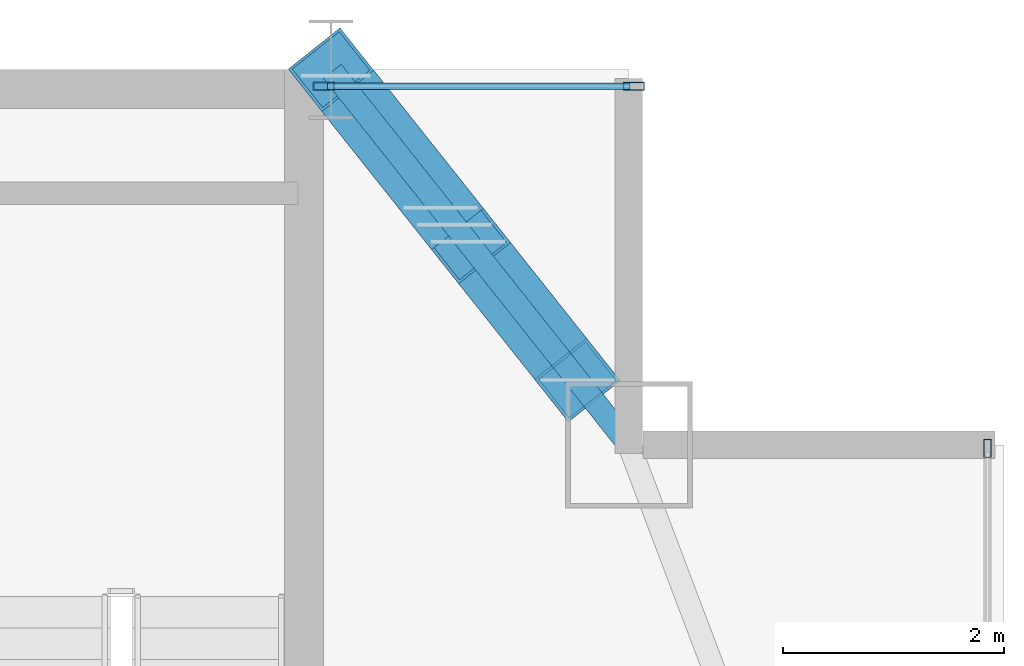
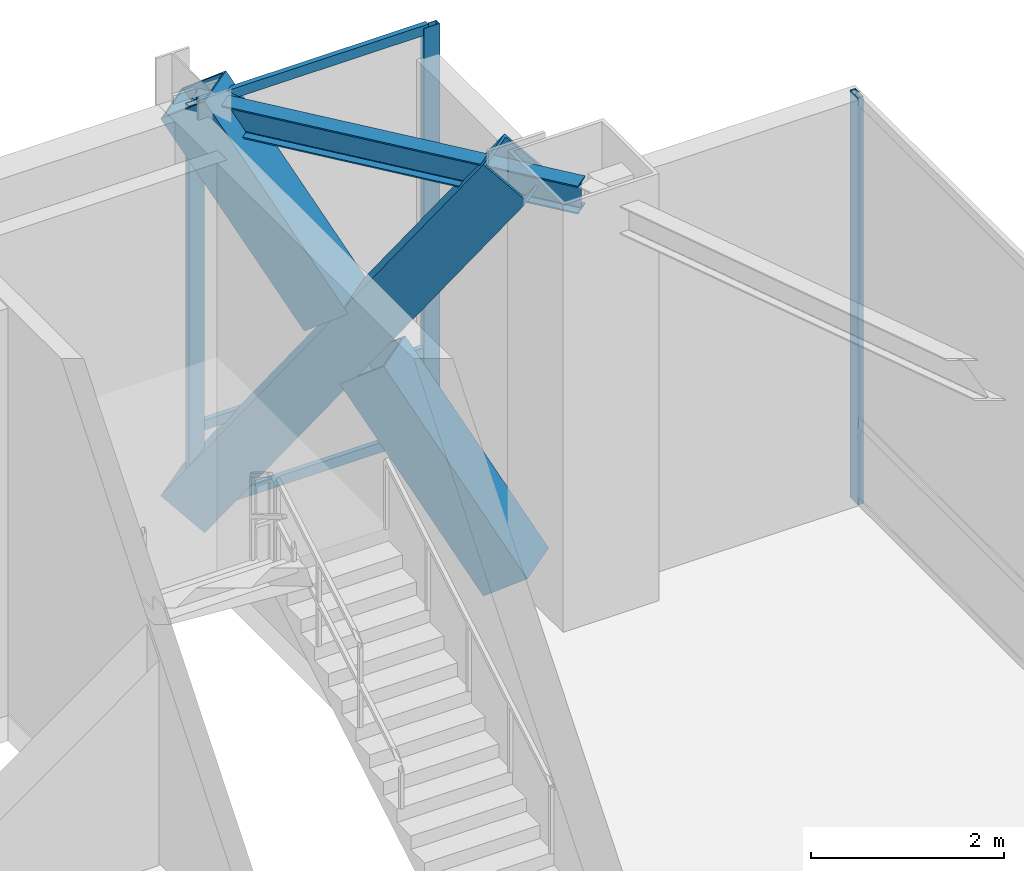
# One storey, part 14 of 21: 9 members, 1 beam, 2 elements without a shape of their own.
"""IFC4 building model written with IfcOpenShell, lengths in metres."""

from ifc_helpers import new_model, si_unit, direction, frame, origin, origin_2d, place, context, subcontext, project, spatial, hollow_rectangle, i_section, extrude, source, transform, mapped, material, layer, layer_set, material_profile, profile_set, type_object, type_shapes, element, aggregate, save


model = new_model("IFC4")

# Units and contexts
model_context = context("Model", 3, precision=1e-05, world=origin(), true_north=direction((0.0, 1.0)))
body_context = subcontext(model_context, "Body", "Model", "MODEL_VIEW")
ifc_project = project(units=[si_unit("LENGTHUNIT", "METRE"), si_unit("AREAUNIT", "SQUARE_METRE"), si_unit("VOLUMEUNIT", "CUBIC_METRE"), si_unit("PLANEANGLEUNIT", "RADIAN"), si_unit("MASSUNIT", "GRAM", prefix="KILO")], contexts=[model_context])

# Site, building, storey
site_placement = place(None, origin())
site = spatial("IfcSite", under=ifc_project, at=site_placement, CompositionType="ELEMENT")
building_placement = place(site_placement, origin())
building = spatial("IfcBuilding", under=site, at=building_placement, Name="Varnel Quay Broadcast Tower", CompositionType="ELEMENT")
storey_placement = place(building_placement, frame((0.0, 0.0, 234.0)))
storey = spatial("IfcBuildingStorey", under=building, at=storey_placement, Name="L58", CompositionType="ELEMENT", Elevation=234.0)

# Beam
ifc_material_1 = material(Name="Structural Steel CSA G40.21 350W", Category="steel")
ifc_material_profile_1 = material_profile(ifc_material_1, i_section(OverallWidth=0.205078125, OverallDepth=0.35400390625, WebThickness=0.009521484375, FlangeThickness=0.016845703125, FilletRadius=0.012939453125, at=origin_2d()), Name="W360X79")
ifc_profile_set_1 = profile_set([ifc_material_profile_1], Name="Structural Steel CSA G40.21 350W")
beam_type = type_object("IfcBeamType", Name="Beam_W360X79", PredefinedType="SPANDREL", material=ifc_profile_set_1)
shared_shape_1 = source(origin(), body_context, "Body", "SweptSolid", [
    extrude(i_section(OverallWidth=0.205078125, OverallDepth=0.35400390625, WebThickness=0.009521484375, FlangeThickness=0.016845703125, FilletRadius=0.012939453125, at=origin_2d()), origin(), (0.0, 0.0, 1.0), 4.301513671875),
])
type_shapes(beam_type, [shared_shape_1])
beam_placement = place(storey_placement, frame((52.412353515625, 46.7841796875, 4.972900390625), z_axis=(0.621936399401, -0.783067758946, 0.0), x_axis=(0.783067758946, 0.621936399401, 0.0)))
element("IfcBeam", 1, at=beam_placement, inside=storey, type_object=beam_type, Name="L58 NE Tie Spandrel", PredefinedType="SPANDREL", context=body_context, shape_type="MappedRepresentation", body=[
    mapped(shared_shape_1, transform((0.0, 0.0, 0.0), x_axis=(1.0, 0.0, 0.0), y_axis=(0.0, 1.0, 0.0), z_axis=(0.0, 0.0, 1.0), scale=1.0)),
])

# Members
ifc_material_2 = material(Name="Structural Steel CSA G40.21 350WT", Category="steel")
ifc_material_profile_2 = material_profile(ifc_material_2, hollow_rectangle(XDim=0.60009765625, YDim=0.60009765625, WallThickness=0.028076171875, at=origin_2d()), Name="BOX600X600X28")
ifc_profile_set_2 = profile_set([ifc_material_profile_2], Name="Structural Steel CSA G40.21 350WT")
member_type_1 = type_object("IfcMemberType", Name="Outrigger_BOX600X600X28", PredefinedType="BRACE", material=ifc_profile_set_2)
shared_shape_2 = source(origin(), body_context, "Body", "SweptSolid", [
    extrude(hollow_rectangle(XDim=0.60009765625, YDim=0.60009765625, WallThickness=0.028076171875, at=origin_2d()), origin(), (0.0, 0.0, 1.0), 6.246337890625),
])
member_1_placement = place(storey_placement, frame((52.39990234375, 46.800048828125, 0.02001953125), z_axis=(0.357672421121, -0.45038348908, 0.818061826474), x_axis=(0.783098192794, 0.621898078822, 0.0)))
element("IfcMember", 2, at=member_1_placement, inside=storey, type_object=member_type_1, Name="L58 Outrigger NE Continuous Diag A", PredefinedType="BRACE", context=body_context, shape_type="MappedRepresentation", body=[
    mapped(shared_shape_2, transform((0.0, 0.0, 0.0), x_axis=(1.0, 0.0, 0.0), y_axis=(0.0, 1.0, 0.0), z_axis=(0.0, 0.0, 1.0), scale=1.0)),
])
shared_shape_3 = source(origin(), body_context, "Body", "SweptSolid", [
    extrude(hollow_rectangle(XDim=0.60009765625, YDim=0.60009765625, WallThickness=0.028076171875, at=origin_2d()), origin(), (0.0, 0.0, 1.0), 2.779296875),
])
member_2_placement = place(storey_placement, frame((54.634033203125, 43.98681640625, 0.02001953125), z_axis=(-0.357689730607, 0.450362290969, 0.818065928573), x_axis=(-0.783069279304, -0.621934485143, 0.0)))
element("IfcMember", 3, at=member_2_placement, inside=storey, type_object=member_type_1, Name="L58 Outrigger NE Split Diag B1", PredefinedType="BRACE", context=body_context, shape_type="MappedRepresentation", body=[
    mapped(shared_shape_3, transform((0.0, 0.0, 0.0), x_axis=(1.0, 0.0, 0.0), y_axis=(0.0, 1.0, 0.0), z_axis=(0.0, 0.0, 1.0), scale=1.0)),
])
shared_shape_4 = source(origin(), body_context, "Body", "SweptSolid", [
    extrude(hollow_rectangle(XDim=0.60009765625, YDim=0.60009765625, WallThickness=0.028076171875, at=origin_2d()), origin(), (0.0, 0.0, 1.0), 2.779541015625),
])
type_shapes(member_type_1, [shared_shape_2, shared_shape_3, shared_shape_4])
member_3_placement = place(storey_placement, frame((53.39404296875, 45.548095703125, 2.856201171875), z_axis=(-0.357675579717, 0.450432311589, 0.818033564318), x_axis=(-0.783128346756, -0.621860106862, 0.0)))
element("IfcMember", 4, at=member_3_placement, inside=storey, type_object=member_type_1, Name="L58 Outrigger NE Split Diag B2", PredefinedType="BRACE", context=body_context, shape_type="MappedRepresentation", body=[
    mapped(shared_shape_4, transform((0.0, 0.0, 0.0), x_axis=(1.0, 0.0, 0.0), y_axis=(0.0, 1.0, 0.0), z_axis=(0.0, 0.0, 1.0), scale=1.0)),
])

# Curtain wall, member
ifc_material_3 = material(Name="Anodised Bronze Aluminium 6063-T6", Category="aluminium")
ifc_layer_1 = layer(ifc_material_3, 0.18994140625, Name="Anodised Bronze Aluminium 6063-T6")
ifc_layer_set_1 = layer_set([ifc_layer_1], Name="Anodised Bronze Aluminium 6063-T6")
curtain_wall_type_1 = type_object("IfcCurtainWallType", Name="CW_UpperTower", PredefinedType="NOTDEFINED", material=ifc_layer_set_1)
curtain_wall_1_placement = place(storey_placement, origin())
curtain_wall_1 = element("IfcCurtainWall", 5, at=curtain_wall_1_placement, inside=storey, type_object=curtain_wall_type_1, Name="L58 East Plant Curtain Wall", PredefinedType="NOTDEFINED")
ifc_material_profile_3 = material_profile(ifc_material_3, hollow_rectangle(XDim=0.06494140625, YDim=0.1650390625, WallThickness=0.00341796875, at=origin_2d()), Name="ALU65X165X3.5")
ifc_profile_set_3 = profile_set([ifc_material_profile_3], Name="Anodised Bronze Aluminium 6063-T6")
member_type_2 = type_object("IfcMemberType", Name="Mull_CWS-03", PredefinedType="MULLION", material=ifc_profile_set_3)
shared_shape_5 = source(origin(), body_context, "Body", "SweptSolid", [
    extrude(hollow_rectangle(XDim=0.06494140625, YDim=0.1650390625, WallThickness=0.00341796875, at=origin_2d()), origin(), (0.0, 0.0, 1.0), 5.14990234375),
])
type_shapes(member_type_2, [shared_shape_5])
member_4_placement = place(storey_placement, frame((58.35009765625, 43.367431640625, 0.0), z_axis=(0.0, 0.0, 1.0), x_axis=(-1.0, 0.0, 0.0)))
member_4 = element("IfcMember", 6, at=member_4_placement, type_object=member_type_2, Name="CWS-03 mullion 3", PredefinedType="MULLION", context=body_context, shape_type="MappedRepresentation", body=[
    mapped(shared_shape_5, transform((0.0, 0.0, 0.0), x_axis=(1.0, 0.0, 0.0), y_axis=(0.0, 1.0, 0.0), z_axis=(0.0, 0.0, 1.0), scale=1.0)),
])
aggregate(curtain_wall_1, [member_4])

# Curtain wall, members
ifc_layer_2 = layer(ifc_material_3, 0.18994140625, Name="Anodised Bronze Aluminium 6063-T6")
ifc_layer_set_2 = layer_set([ifc_layer_2], Name="Anodised Bronze Aluminium 6063-T6")
curtain_wall_type_2 = type_object("IfcCurtainWallType", Name="CW_CrownScreen", PredefinedType="NOTDEFINED", material=ifc_layer_set_2)
curtain_wall_2_placement = place(storey_placement, origin())
curtain_wall_2 = element("IfcCurtainWall", 7, at=curtain_wall_2_placement, inside=storey, type_object=curtain_wall_type_2, Name="L58 NE Wing Curtain Wall", PredefinedType="NOTDEFINED")
ifc_material_profile_4 = material_profile(ifc_material_3, hollow_rectangle(XDim=0.070068359375, YDim=0.18994140625, WallThickness=0.00390625, at=origin_2d()), Name="ALU70X190X4")
ifc_profile_set_4 = profile_set([ifc_material_profile_4], Name="Anodised Bronze Aluminium 6063-T6")
member_type_3 = type_object("IfcMemberType", Name="Mull_CWS-06", PredefinedType="MULLION", material=ifc_profile_set_4)
shared_shape_6 = source(origin(), body_context, "Body", "SweptSolid", [
    extrude(hollow_rectangle(XDim=0.070068359375, YDim=0.18994140625, WallThickness=0.00390625, at=origin_2d()), origin(), (0.0, 0.0, 1.0), 5.14990234375),
])
type_shapes(member_type_3, [shared_shape_6])
member_5_placement = place(storey_placement, frame((52.3349609375, 46.64990234375, 0.0), z_axis=(0.0, 0.0, 1.0), x_axis=(0.0, 1.0, 0.0)))
member_5 = element("IfcMember", 8, at=member_5_placement, type_object=member_type_3, Name="CWS-06 mullion 1", PredefinedType="MULLION", context=body_context, shape_type="MappedRepresentation", body=[
    mapped(shared_shape_6, transform((0.0, 0.0, 0.0), x_axis=(1.0, 0.0, 0.0), y_axis=(0.0, 1.0, 0.0), z_axis=(0.0, 0.0, 1.0), scale=1.0)),
])
member_6_placement = place(storey_placement, frame((55.14501953125, 46.64990234375, 0.0), z_axis=(0.0, 0.0, 1.0), x_axis=(0.0, 1.0, 0.0)))
member_6 = element("IfcMember", 9, at=member_6_placement, type_object=member_type_3, Name="CWS-06 mullion 2", PredefinedType="MULLION", context=body_context, shape_type="MappedRepresentation", body=[
    mapped(shared_shape_6, transform((0.0, 0.0, 0.0), x_axis=(1.0, 0.0, 0.0), y_axis=(0.0, 1.0, 0.0), z_axis=(0.0, 0.0, 1.0), scale=1.0)),
])
ifc_material_profile_5 = material_profile(ifc_material_3, hollow_rectangle(XDim=0.06005859375, YDim=0.125, WallThickness=0.0029296875, at=origin_2d()), Name="ALU60X125X3")
ifc_profile_set_5 = profile_set([ifc_material_profile_5], Name="Anodised Bronze Aluminium 6063-T6")
member_type_4 = type_object("IfcMemberType", Name="Tran_CWS-06", PredefinedType="USERDEFINED", material=ifc_profile_set_5)
shared_shape_7 = source(origin(), body_context, "Body", "SweptSolid", [
    extrude(hollow_rectangle(XDim=0.06005859375, YDim=0.125, WallThickness=0.0029296875, at=origin_2d()), origin(), (0.0, 0.0, 1.0), 2.739990234375),
])
type_shapes(member_type_4, [shared_shape_7])
member_7_placement = place(storey_placement, frame((52.3701171875, 46.64990234375, 0.030029296875), z_axis=(1.0, 0.0, 0.0), x_axis=(0.0, 1.0, 0.0)))
member_7 = element("IfcMember", 10, at=member_7_placement, type_object=member_type_4, Name="CWS-06 transom 1.1", ObjectType="TRANSOM", PredefinedType="USERDEFINED", context=body_context, shape_type="MappedRepresentation", body=[
    mapped(shared_shape_7, transform((0.0, 0.0, 0.0), x_axis=(1.0, 0.0, 0.0), y_axis=(0.0, 1.0, 0.0), z_axis=(0.0, 0.0, 1.0), scale=1.0)),
])
member_8_placement = place(storey_placement, frame((52.3701171875, 46.64990234375, 1.050048828125), z_axis=(1.0, 0.0, 0.0), x_axis=(0.0, 1.0, 0.0)))
member_8 = element("IfcMember", 11, at=member_8_placement, type_object=member_type_4, Name="CWS-06 transom 1.2", ObjectType="TRANSOM", PredefinedType="USERDEFINED", context=body_context, shape_type="MappedRepresentation", body=[
    mapped(shared_shape_7, transform((0.0, 0.0, 0.0), x_axis=(1.0, 0.0, 0.0), y_axis=(0.0, 1.0, 0.0), z_axis=(0.0, 0.0, 1.0), scale=1.0)),
])
member_9_placement = place(storey_placement, frame((52.3701171875, 46.64990234375, 5.1201171875), z_axis=(1.0, 0.0, 0.0), x_axis=(0.0, 1.0, 0.0)))
member_9 = element("IfcMember", 12, at=member_9_placement, type_object=member_type_4, Name="CWS-06 transom 1.3", ObjectType="TRANSOM", PredefinedType="USERDEFINED", context=body_context, shape_type="MappedRepresentation", body=[
    mapped(shared_shape_7, transform((0.0, 0.0, 0.0), x_axis=(1.0, 0.0, 0.0), y_axis=(0.0, 1.0, 0.0), z_axis=(0.0, 0.0, 1.0), scale=1.0)),
])
aggregate(curtain_wall_2, [member_5, member_6, member_7, member_8, member_9])

save(model, "model.ifc")
